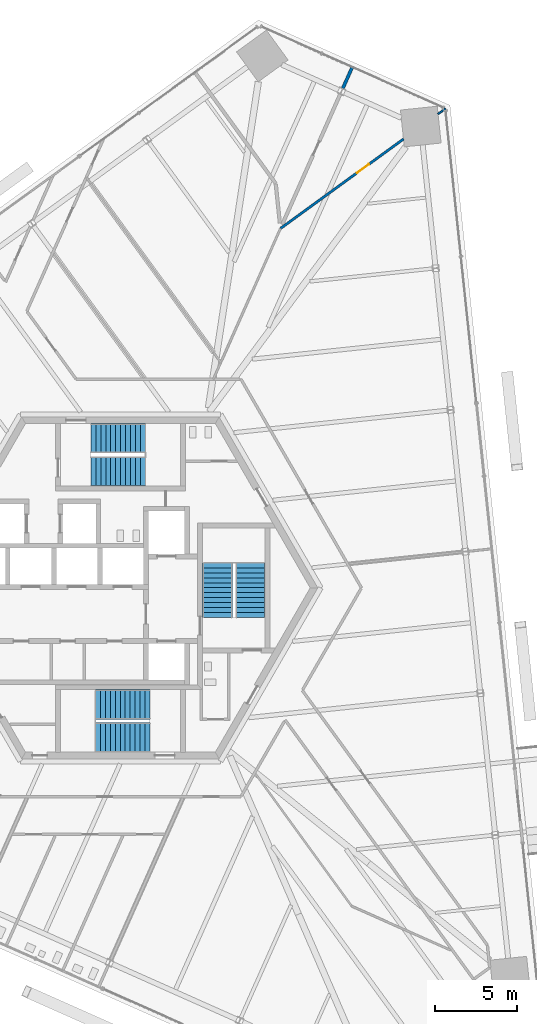
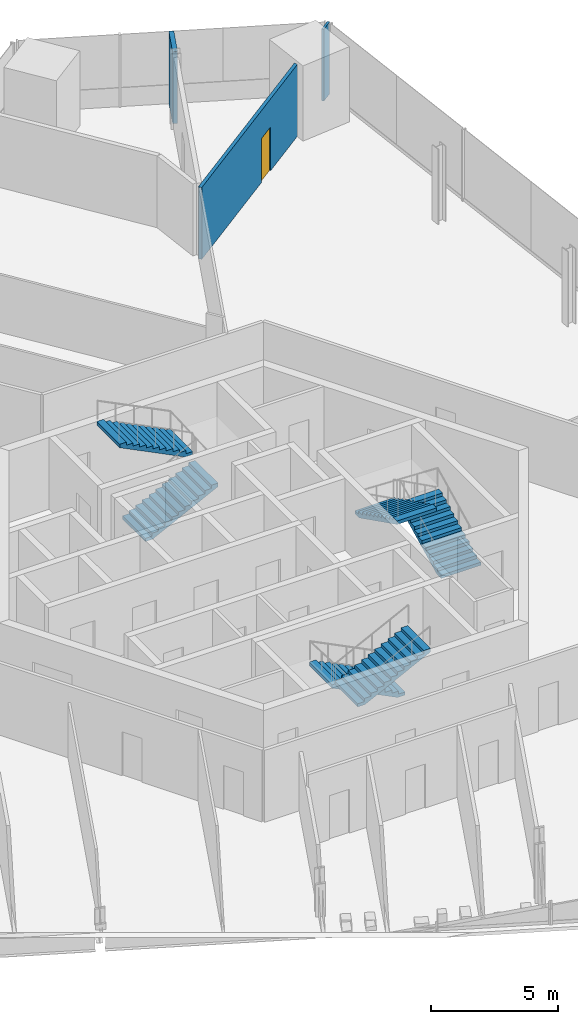
# One storey, part 15 of 19: 6 stair flights, 3 walls, 1 door, 1 opening, 3 elements without a shape of their own.
"""IFC4 building model written with IfcOpenShell, lengths in metres."""

from ifc_helpers import new_model, si_unit, direction, frame, frame_2d, origin, place, context, subcontext, project, spatial, polyline, rectangle, outline, extrude, source, transform, mapped, material, layer, layer_set, type_object, element, fill, aggregate, save


model = new_model("IFC4")

# Units and contexts
model_context = context("Model", 3, precision=1e-05, world=origin(), true_north=direction((0.0, 1.0)))
body_context = subcontext(model_context, "Body", "Model", "MODEL_VIEW")
ifc_project = project(units=[si_unit("LENGTHUNIT", "METRE"), si_unit("AREAUNIT", "SQUARE_METRE"), si_unit("VOLUMEUNIT", "CUBIC_METRE"), si_unit("PLANEANGLEUNIT", "RADIAN"), si_unit("MASSUNIT", "GRAM", prefix="KILO")], contexts=[model_context])

# Site, building, storey
site_placement = place(None, origin())
site = spatial("IfcSite", under=ifc_project, at=site_placement, CompositionType="ELEMENT")
building_placement = place(site_placement, origin())
building = spatial("IfcBuilding", under=site, at=building_placement, Name="Triune Harvest Tower", CompositionType="ELEMENT")
storey_placement = place(building_placement, frame((0.0, 0.0, 69.300048828125)))
storey = spatial("IfcBuildingStorey", under=building, at=storey_placement, Name="L16", CompositionType="ELEMENT", Elevation=69.300048828125)

# Wall
ifc_material_1 = material(Name="Gypsum board on steel studs", Category="steel")
ifc_layer_1 = layer(ifc_material_1, 0.199951171875)
ifc_layer_set_1 = layer_set([ifc_layer_1], Name="Gypsum board on steel studs")
wall_type_1 = type_object("IfcWallType", Name="Fire Wall 200 mm", PredefinedType="PARTITIONING", material=ifc_layer_set_1)
shared_shape_1 = source(origin(), body_context, "Body", "SweptSolid", [
    extrude(rectangle(XDim=1.41845703125, YDim=0.199951171875, at=frame_2d((0.709228515625, 0.0))), origin(), (0.0, 0.0, 1.0), 3.43994140625),
])
wall_1_placement = place(storey_placement, frame((13.519287109375, 30.364501953125, 0.0), z_axis=(0.0, 0.0, 1.0), x_axis=(0.406697305895, 0.913562970669, 0.0)))
element("IfcWall", 1, at=wall_1_placement, inside=storey, type_object=wall_type_1, Name="Partition L16 039", PredefinedType="PARTITIONING", context=body_context, shape_type="MappedRepresentation", body=[
    mapped(shared_shape_1, transform((0.0, 0.0, 0.0), scale=1.0)),
])

# Wall, opening, door
ifc_material_2 = material(Name="Gypsum board on steel studs", Category="steel")
ifc_layer_2 = layer(ifc_material_2, 0.14990234375)
ifc_layer_set_2 = layer_set([ifc_layer_2], Name="Gypsum board on steel studs")
wall_type_2 = type_object("IfcWallType", Name="Fire Partition 150 mm", PredefinedType="PARTITIONING", material=ifc_layer_set_2)
shared_shape_2 = source(origin(), body_context, "Body", "SweptSolid", [
    extrude(rectangle(XDim=9.249267578125, YDim=0.14990234375, at=frame_2d((4.62451171875, 0.0))), origin(), (0.0, 0.0, 1.0), 3.43994140625),
])
wall_2_placement = place(storey_placement, frame((9.736328125, 21.855712890625, 0.0), z_axis=(0.0, 0.0, 1.0), x_axis=(0.809001956187, 0.587805950025, 0.0)))
wall_2 = element("IfcWall", 2, at=wall_2_placement, inside=storey, type_object=wall_type_2, Name="Partition L16 026", PredefinedType="PARTITIONING", context=body_context, shape_type="MappedRepresentation", body=[
    mapped(shared_shape_2, transform((0.0, 0.0, 0.0), scale=1.0)),
])
opening_placement = place(wall_2_placement, frame((5.740234375, 0.0, 0.0)))
opening = element("IfcOpeningElement", 3, at=opening_placement, cuts=wall_2, Name="Opening L16-004", PredefinedType="OPENING", context=body_context, shape_type="SweptSolid", body=[
    extrude(rectangle(XDim=0.89990234375, YDim=2.10009765625, at=frame_2d((0.449951171875, 1.050048828125))), frame((0.0, 0.0849609375, 0.0), z_axis=(0.0, -1.0, 0.0), x_axis=(1.0, 0.0, 0.0)), (0.0, 0.0, 1.0), 0.169921875),
])
ifc_material_3 = material(Name="Timber and steel door set", Category="steel")
door_type = type_object("IfcDoorType", Name="Single leaf door FD30 right hand 900 x 2100", OperationType="SINGLE_SWING_RIGHT", PredefinedType="DOOR", material=ifc_material_3)
door_placement = place(opening_placement, origin())
door = element("IfcDoor", 4, at=door_placement, inside=storey, type_object=door_type, Name="Door L16-004 Specimen Store 16.04", OperationType="SINGLE_SWING_RIGHT", OverallHeight=2.10009765625, OverallWidth=0.89990234375, PredefinedType="DOOR", context=body_context, shape_type="SweptSolid", body=[
    extrude(rectangle(XDim=0.89990234375, YDim=2.10009765625, at=frame_2d((0.449951171875, 1.050048828125))), frame((0.0, 0.02490234375, 0.0), z_axis=(0.0, -1.0, 0.0), x_axis=(1.0, 0.0, 0.0)), (0.0, 0.0, 1.0), 0.050048828125),
])
fill(opening, door)

# Wall
ifc_material_4 = material(Name="Gypsum board on steel studs", Category="steel")
ifc_layer_3 = layer(ifc_material_4, 0.10009765625)
ifc_layer_set_3 = layer_set([ifc_layer_3], Name="Gypsum board on steel studs")
wall_type_3 = type_object("IfcWallType", Name="Partition 100 mm", PredefinedType="PARTITIONING", material=ifc_layer_set_3)
shared_shape_3 = source(origin(), body_context, "Body", "SweptSolid", [
    extrude(rectangle(XDim=0.566162109375, YDim=0.10009765625, at=frame_2d((0.283203125, 0.0))), origin(), (0.0, 0.0, 1.0), 3.43994140625),
])
wall_3_placement = place(storey_placement, frame((19.30224609375, 28.805908203125, 0.0), z_axis=(0.0, 0.0, 1.0), x_axis=(0.809015719363, 0.587787007192, 0.0)))
element("IfcWall", 5, at=wall_3_placement, inside=storey, type_object=wall_type_3, Name="Partition L16 027", PredefinedType="PARTITIONING", context=body_context, shape_type="MappedRepresentation", body=[
    mapped(shared_shape_3, transform((0.0, 0.0, 0.0), scale=1.0)),
])

# Stair, stair flights
ifc_material_5 = material(Name="Concrete 40 MPa", Category="concrete")
stair_type = type_object("IfcStairType", Name="Exit stair 1800 half turn", PredefinedType="HALF_TURN_STAIR", material=ifc_material_5)
stair_1_placement = place(storey_placement, origin())
stair_1 = element("IfcStair", 6, at=stair_1_placement, inside=storey, type_object=stair_type, Name="Exit stair north", PredefinedType="HALF_TURN_STAIR")
ifc_material_6 = material(Name="Concrete 40 MPa", Category="concrete")
stair_flight_type = type_object("IfcStairFlightType", Name="Stair flight 1800", PredefinedType="STRAIGHT", material=ifc_material_6)
shared_shape_4 = source(origin(), body_context, "Body", "SweptSolid", [
    extrude(outline(polyline([(0.0, 0.0), (0.0, 0.14990234375), (0.300048828125, 0.14990234375), (0.300048828125, 0.300048828125), (0.60009765625, 0.300048828125), (0.60009765625, 0.449951171875), (0.89990234375, 0.449951171875), (0.89990234375, 0.60009765625), (1.199951171875, 0.60009765625), (1.199951171875, 0.75), (1.5, 0.75), (1.5, 0.89990234375), (1.800048828125, 0.89990234375), (1.800048828125, 1.050048828125), (2.10009765625, 1.050048828125), (2.10009765625, 1.199951171875), (2.39990234375, 1.199951171875), (2.39990234375, 1.35009765625), (2.699951171875, 1.35009765625), (2.699951171875, 1.5), (3.0, 1.5), (3.0, 1.64990234375), (3.300048828125, 1.64990234375), (3.300048828125, 1.800048828125), (3.300048828125, 1.482421875), (0.335205078125, 0.0), (0.0, 0.0)])), frame((0.0, 0.89990234375, 0.0), z_axis=(0.0, -1.0, 0.0), x_axis=(1.0, 0.0, 0.0)), (0.0, 0.0, 1.0), 1.800048828125),
])
stair_flight_1_placement = place(storey_placement, frame((-1.7900390625, 7.090087890625, 0.0), z_axis=(0.0, 0.0, 1.0), x_axis=(1.0, 0.0, 0.0)))
stair_flight_1 = element("IfcStairFlight", 7, at=stair_flight_1_placement, type_object=stair_flight_type, Name="ST-1 flight 1", NumberOfRisers=12, NumberOfTreads=11, PredefinedType="STRAIGHT", RiserHeight=0.15, TreadLength=0.3, context=body_context, shape_type="MappedRepresentation", body=[
    mapped(shared_shape_4, transform((0.0, 0.0, 0.0), scale=1.0)),
])
stair_flight_2_placement = place(storey_placement, frame((1.510009765625, 9.090087890625, 1.800048828125), z_axis=(0.0, 0.0, 1.0), x_axis=(-1.0, 0.0, 0.0)))
stair_flight_2 = element("IfcStairFlight", 8, at=stair_flight_2_placement, type_object=stair_flight_type, Name="ST-1 flight 2", NumberOfRisers=12, NumberOfTreads=11, PredefinedType="STRAIGHT", RiserHeight=0.15, TreadLength=0.3, context=body_context, shape_type="MappedRepresentation", body=[
    mapped(shared_shape_4, transform((0.0, 0.0, 0.0), scale=1.0)),
])
aggregate(stair_1, [stair_flight_1, stair_flight_2])

stair_2_placement = place(storey_placement, origin())
stair_2 = element("IfcStair", 9, at=stair_2_placement, inside=storey, type_object=stair_type, Name="Exit stair south", PredefinedType="HALF_TURN_STAIR")
stair_flight_3_placement = place(storey_placement, frame((1.7900390625, -7.090087890625, 0.0), z_axis=(0.0, 0.0, 1.0), x_axis=(-1.0, 0.0, 0.0)))
stair_flight_3 = element("IfcStairFlight", 10, at=stair_flight_3_placement, type_object=stair_flight_type, Name="ST-2 flight 1", NumberOfRisers=12, NumberOfTreads=11, PredefinedType="STRAIGHT", RiserHeight=0.15, TreadLength=0.3, context=body_context, shape_type="MappedRepresentation", body=[
    mapped(shared_shape_4, transform((0.0, 0.0, 0.0), scale=1.0)),
])
stair_flight_4_placement = place(storey_placement, frame((-1.510009765625, -9.090087890625, 1.800048828125), z_axis=(0.0, 0.0, 1.0), x_axis=(1.0, 0.0, 0.0)))
stair_flight_4 = element("IfcStairFlight", 11, at=stair_flight_4_placement, type_object=stair_flight_type, Name="ST-2 flight 2", NumberOfRisers=12, NumberOfTreads=11, PredefinedType="STRAIGHT", RiserHeight=0.15, TreadLength=0.3, context=body_context, shape_type="MappedRepresentation", body=[
    mapped(shared_shape_4, transform((0.0, 0.0, 0.0), scale=1.0)),
])
aggregate(stair_2, [stair_flight_3, stair_flight_4])

stair_3_placement = place(storey_placement, origin())
stair_3 = element("IfcStair", 12, at=stair_3_placement, inside=storey, type_object=stair_type, Name="Exit stair east", PredefinedType="HALF_TURN_STAIR")
stair_flight_5_placement = place(storey_placement, frame((7.89990234375, -1.7900390625, 0.0), z_axis=(0.0, 0.0, 1.0), x_axis=(0.0, 1.0, 0.0)))
stair_flight_5 = element("IfcStairFlight", 13, at=stair_flight_5_placement, type_object=stair_flight_type, Name="ST-3 flight 1", NumberOfRisers=12, NumberOfTreads=11, PredefinedType="STRAIGHT", RiserHeight=0.15, TreadLength=0.3, context=body_context, shape_type="MappedRepresentation", body=[
    mapped(shared_shape_4, transform((0.0, 0.0, 0.0), scale=1.0)),
])
stair_flight_6_placement = place(storey_placement, frame((5.89990234375, 1.510009765625, 1.800048828125), z_axis=(0.0, 0.0, 1.0), x_axis=(0.0, -1.0, 0.0)))
stair_flight_6 = element("IfcStairFlight", 14, at=stair_flight_6_placement, type_object=stair_flight_type, Name="ST-3 flight 2", NumberOfRisers=12, NumberOfTreads=11, PredefinedType="STRAIGHT", RiserHeight=0.15, TreadLength=0.3, context=body_context, shape_type="MappedRepresentation", body=[
    mapped(shared_shape_4, transform((0.0, 0.0, 0.0), scale=1.0)),
])
aggregate(stair_3, [stair_flight_5, stair_flight_6])

save(model, "model.ifc")
